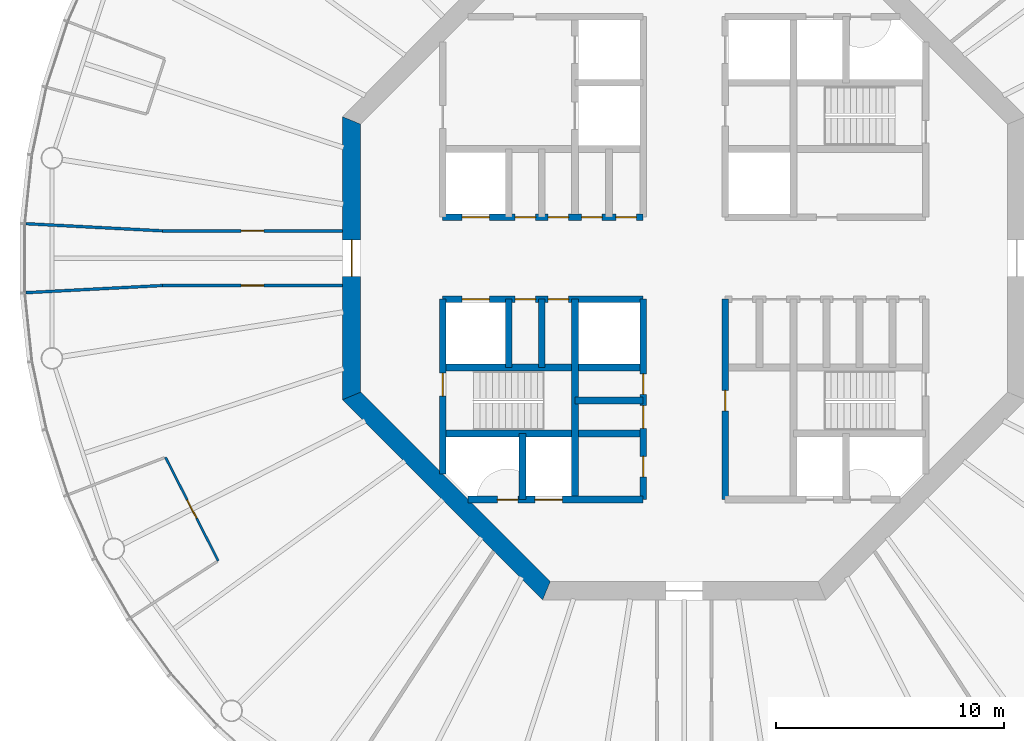
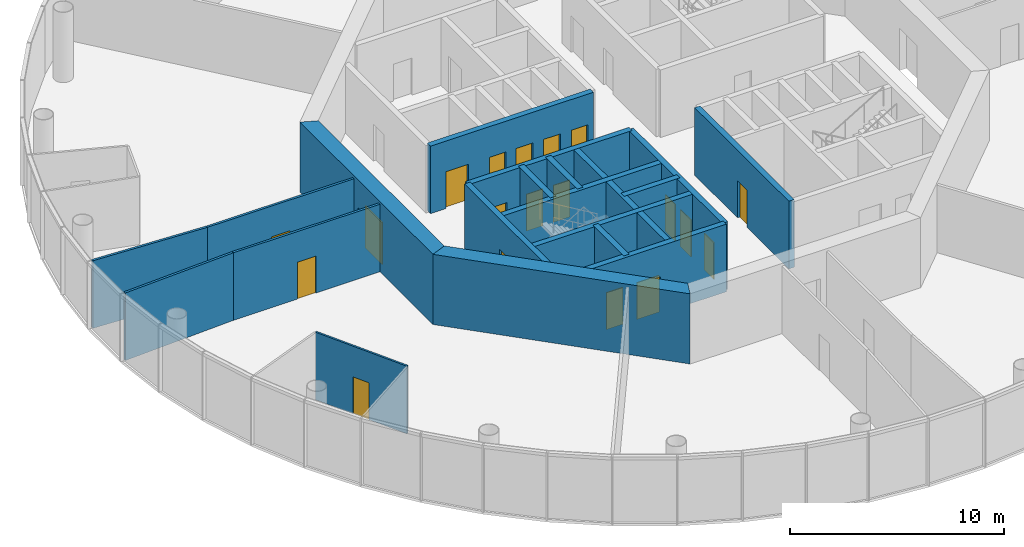
# One storey, part 3 of 13: 20 walls, 19 doors, 19 openings.
"""IFC4 building model written with IfcOpenShell, lengths in metres."""

from ifc_helpers import new_model, si_unit, direction, frame, frame_2d, origin, place, context, subcontext, project, spatial, polyline, rectangle, outline, extrude, material, layer, layer_set, type_object, element, fill, save


model = new_model("IFC4")

# Units and contexts
model_context = context("Model", 3, precision=1e-05, world=origin(), true_north=direction((0.0, 1.0)))
body_context = subcontext(model_context, "Body", "Model", "MODEL_VIEW")
ifc_project = project(units=[si_unit("LENGTHUNIT", "METRE"), si_unit("AREAUNIT", "SQUARE_METRE"), si_unit("VOLUMEUNIT", "CUBIC_METRE"), si_unit("PLANEANGLEUNIT", "RADIAN"), si_unit("MASSUNIT", "GRAM", prefix="KILO")], contexts=[model_context])

# Site, building, storey
site_placement = place(None, origin())
site = spatial("IfcSite", under=ifc_project, at=site_placement, CompositionType="ELEMENT")
building_placement = place(site_placement, origin())
building = spatial("IfcBuilding", under=site, at=building_placement, Name="Entoto Ring Tower", CompositionType="ELEMENT")
storey_placement = place(building_placement, frame((0.0, 0.0, 314.0)))
storey = spatial("IfcBuildingStorey", under=building, at=storey_placement, Name="L72", CompositionType="ELEMENT", Elevation=314.0)

# Wall, opening, door
ifc_material_1 = material(Name="Concrete C40/50", Category="concrete")
ifc_layer_1 = layer(ifc_material_1, 0.300048828125)
ifc_layer_set_1 = layer_set([ifc_layer_1], Name="Concrete C40/50")
wall_type_1 = type_object("IfcWallType", Name="Core enclosure wall 300 mm reinforced concrete", PredefinedType="SOLIDWALL", material=ifc_layer_set_1)
wall_1_placement = place(storey_placement, frame((91.800048828125, 69.39990234375, 0.0), z_axis=(0.0, 0.0, 1.0), x_axis=(0.0, 1.0, 0.0)))
wall_1 = element("IfcWall", 1, at=wall_1_placement, inside=storey, type_object=wall_type_1, Name="wall-L72-011", PredefinedType="SOLIDWALL", context=body_context, shape_type="SweptSolid", body=[
    extrude(rectangle(XDim=8.800048828125, YDim=0.300048828125, at=frame_2d((4.39990234375, 0.0))), origin(), (0.0, 0.0, 1.0), 3.85009765625),
])
opening_1_placement = place(wall_1_placement, frame((3.89990234375, 0.0, 0.0)))
opening_1 = element("IfcOpeningElement", 2, at=opening_1_placement, cuts=wall_1, Name="Opening K-21", PredefinedType="OPENING", context=body_context, shape_type="SweptSolid", body=[
    extrude(rectangle(XDim=0.89990234375, YDim=2.10009765625, at=frame_2d((0.449951171875, 1.050048828125))), frame((0.0, 0.16015625, 0.0), z_axis=(0.0, -1.0, 0.0), x_axis=(1.0, 0.0, 0.0)), (0.0, 0.0, 1.0), 0.320068359375),
])
ifc_material_2 = material(Name="Steel door leaf, fire rated", Category="steel")
ifc_layer_2 = layer(ifc_material_2, 0.050048828125)
ifc_layer_set_2 = layer_set([ifc_layer_2], Name="Steel door leaf, fire rated")
door_type_1 = type_object("IfcDoorType", Name="Core door 900 x 2100 single leaf", OperationType="NOTDEFINED", PredefinedType="DOOR", material=ifc_layer_set_2)
door_1_placement = place(opening_1_placement, frame((0.89990234375, 0.0, 0.0), z_axis=(0.0, 0.0, 1.0), x_axis=(-1.0, 0.0, 0.0)))
door_1 = element("IfcDoor", 3, at=door_1_placement, inside=storey, type_object=door_type_1, Name="Door K-21", OperationType="SINGLE_SWING_LEFT", OverallHeight=2.10009765625, OverallWidth=0.89990234375, PredefinedType="DOOR", context=body_context, shape_type="SweptSolid", body=[
    extrude(rectangle(XDim=0.89990234375, YDim=2.10009765625, at=frame_2d((0.449951171875, 1.050048828125))), frame((0.0, 0.02490234375, 0.0), z_axis=(0.0, -1.0, 0.0), x_axis=(1.0, 0.0, 0.0)), (0.0, 0.0, 1.0), 0.050048828125),
])
fill(opening_1, door_1)

# Wall, openings, doors
wall_2_placement = place(storey_placement, frame((88.199951171875, 69.39990234375, 0.0), z_axis=(0.0, 0.0, 1.0), x_axis=(0.0, 1.0, 0.0)))
wall_2 = element("IfcWall", 4, at=wall_2_placement, inside=storey, type_object=wall_type_1, Name="wall-L72-013", PredefinedType="SOLIDWALL", context=body_context, shape_type="SweptSolid", body=[
    extrude(rectangle(XDim=8.800048828125, YDim=0.300048828125, at=frame_2d((4.39990234375, 0.0))), origin(), (0.0, 0.0, 1.0), 3.85009765625),
])
opening_2_placement = place(wall_2_placement, frame((3.125, 0.0, 0.0)))
opening_2 = element("IfcOpeningElement", 5, at=opening_2_placement, cuts=wall_2, Name="Opening K-70", PredefinedType="OPENING", context=body_context, shape_type="SweptSolid", body=[
    extrude(rectangle(XDim=1.0, YDim=2.10009765625, at=frame_2d((0.5, 1.050048828125))), frame((0.0, 0.16015625, 0.0), z_axis=(0.0, -1.0, 0.0), x_axis=(1.0, 0.0, 0.0)), (0.0, 0.0, 1.0), 0.320068359375),
])
opening_3_placement = place(wall_2_placement, frame((4.625, 0.0, 0.0)))
opening_3 = element("IfcOpeningElement", 6, at=opening_3_placement, cuts=wall_2, Name="Opening K-71", PredefinedType="OPENING", context=body_context, shape_type="SweptSolid", body=[
    extrude(rectangle(XDim=0.89990234375, YDim=2.10009765625, at=frame_2d((0.449951171875, 1.050048828125))), frame((0.0, 0.16015625, 0.0), z_axis=(0.0, -1.0, 0.0), x_axis=(1.0, 0.0, 0.0)), (0.0, 0.0, 1.0), 0.320068359375),
])
opening_4_placement = place(wall_2_placement, frame((1.0, 0.0, 0.0)))
opening_4 = element("IfcOpeningElement", 7, at=opening_4_placement, cuts=wall_2, Name="Opening K-24", PredefinedType="OPENING", context=body_context, shape_type="SweptSolid", body=[
    extrude(rectangle(XDim=0.89990234375, YDim=2.10009765625, at=frame_2d((0.449951171875, 1.050048828125))), frame((0.0, 0.16015625, 0.0), z_axis=(0.0, -1.0, 0.0), x_axis=(1.0, 0.0, 0.0)), (0.0, 0.0, 1.0), 0.320068359375),
])
ifc_material_3 = material(Name="Steel door leaf, fire rated", Category="steel")
ifc_layer_3 = layer(ifc_material_3, 0.050048828125)
ifc_layer_set_3 = layer_set([ifc_layer_3], Name="Steel door leaf, fire rated")
door_type_2 = type_object("IfcDoorType", Name="Accessible door 1000 x 2100 single leaf", OperationType="NOTDEFINED", PredefinedType="DOOR", material=ifc_layer_set_3)
door_2_placement = place(opening_2_placement, origin())
door_2 = element("IfcDoor", 8, at=door_2_placement, inside=storey, type_object=door_type_2, Name="Door K-70", OperationType="SINGLE_SWING_RIGHT", OverallHeight=2.10009765625, OverallWidth=1.0, PredefinedType="DOOR", context=body_context, shape_type="SweptSolid", body=[
    extrude(rectangle(XDim=1.0, YDim=2.10009765625, at=frame_2d((0.5, 1.050048828125))), frame((0.0, 0.02490234375, 0.0), z_axis=(0.0, -1.0, 0.0), x_axis=(1.0, 0.0, 0.0)), (0.0, 0.0, 1.0), 0.050048828125),
])
fill(opening_2, door_2)
door_3_placement = place(opening_3_placement, origin())
door_3 = element("IfcDoor", 9, at=door_3_placement, inside=storey, type_object=door_type_1, Name="Door K-71", OperationType="SINGLE_SWING_RIGHT", OverallHeight=2.10009765625, OverallWidth=0.89990234375, PredefinedType="DOOR", context=body_context, shape_type="SweptSolid", body=[
    extrude(rectangle(XDim=0.89990234375, YDim=2.10009765625, at=frame_2d((0.449951171875, 1.050048828125))), frame((0.0, 0.02490234375, 0.0), z_axis=(0.0, -1.0, 0.0), x_axis=(1.0, 0.0, 0.0)), (0.0, 0.0, 1.0), 0.050048828125),
])
fill(opening_3, door_3)
door_4_placement = place(opening_4_placement, origin())
door_4 = element("IfcDoor", 10, at=door_4_placement, inside=storey, type_object=door_type_1, Name="Door K-24", OperationType="SINGLE_SWING_RIGHT", OverallHeight=2.10009765625, OverallWidth=0.89990234375, PredefinedType="DOOR", context=body_context, shape_type="SweptSolid", body=[
    extrude(rectangle(XDim=0.89990234375, YDim=2.10009765625, at=frame_2d((0.449951171875, 1.050048828125))), frame((0.0, 0.02490234375, 0.0), z_axis=(0.0, -1.0, 0.0), x_axis=(1.0, 0.0, 0.0)), (0.0, 0.0, 1.0), 0.050048828125),
])
fill(opening_4, door_4)

# Walls
wall_3_placement = place(storey_placement, frame((85.199951171875, 69.39990234375, 0.0), z_axis=(0.0, 0.0, 1.0), x_axis=(0.0, 1.0, 0.0)))
element("IfcWall", 11, at=wall_3_placement, inside=storey, type_object=wall_type_1, Name="wall-L72-016", PredefinedType="SOLIDWALL", context=body_context, shape_type="SweptSolid", body=[
    extrude(rectangle(XDim=8.800048828125, YDim=0.300048828125, at=frame_2d((4.39990234375, 0.0))), origin(), (0.0, 0.0, 1.0), 3.85009765625),
])
wall_4_placement = place(storey_placement, frame((83.75, 75.199951171875, 0.0), z_axis=(0.0, 0.0, 1.0), x_axis=(0.0, 1.0, 0.0)))
element("IfcWall", 12, at=wall_4_placement, inside=storey, type_object=wall_type_1, Name="wall-L72-018", PredefinedType="SOLIDWALL", context=body_context, shape_type="SweptSolid", body=[
    extrude(rectangle(XDim=3.0, YDim=0.300048828125, at=frame_2d((1.5, 0.0))), origin(), (0.0, 0.0, 1.0), 3.85009765625),
])
wall_5_placement = place(storey_placement, frame((82.89990234375, 69.39990234375, 0.0), z_axis=(0.0, 0.0, 1.0), x_axis=(0.0, 1.0, 0.0)))
element("IfcWall", 13, at=wall_5_placement, inside=storey, type_object=wall_type_1, Name="wall-L72-020", PredefinedType="SOLIDWALL", context=body_context, shape_type="SweptSolid", body=[
    extrude(rectangle(XDim=2.900146484375, YDim=0.300048828125, at=frame_2d((1.4501953125, 0.0))), origin(), (0.0, 0.0, 1.0), 3.85009765625),
])
wall_6_placement = place(storey_placement, frame((82.300048828125, 75.199951171875, 0.0), z_axis=(0.0, 0.0, 1.0), x_axis=(0.0, 1.0, 0.0)))
element("IfcWall", 14, at=wall_6_placement, inside=storey, type_object=wall_type_1, Name="wall-L72-021", PredefinedType="SOLIDWALL", context=body_context, shape_type="SweptSolid", body=[
    extrude(rectangle(XDim=3.0, YDim=0.300048828125, at=frame_2d((1.5, 0.0))), origin(), (0.0, 0.0, 1.0), 3.85009765625),
])

# Wall, opening, door
wall_7_placement = place(storey_placement, frame((79.39990234375, 70.518310546875, 0.0), z_axis=(0.0, 0.0, 1.0), x_axis=(0.0, 1.0, 0.0)))
wall_7 = element("IfcWall", 15, at=wall_7_placement, inside=storey, type_object=wall_type_1, Name="wall-L72-023", PredefinedType="SOLIDWALL", context=body_context, shape_type="SweptSolid", body=[
    extrude(rectangle(XDim=7.681640625, YDim=0.300048828125, at=frame_2d((3.8408203125, 0.0))), origin(), (0.0, 0.0, 1.0), 3.85009765625),
])
opening_5_placement = place(wall_7_placement, frame((3.431884765625, 0.0, 0.0)))
opening_5 = element("IfcOpeningElement", 16, at=opening_5_placement, cuts=wall_7, Name="Opening K-30", PredefinedType="OPENING", context=body_context, shape_type="SweptSolid", body=[
    extrude(rectangle(XDim=1.0, YDim=2.10009765625, at=frame_2d((0.5, 1.050048828125))), frame((0.0, 0.16015625, 0.0), z_axis=(0.0, -1.0, 0.0), x_axis=(1.0, 0.0, 0.0)), (0.0, 0.0, 1.0), 0.320068359375),
])
ifc_material_4 = material(Name="Steel door leaf, fire rated", Category="steel")
ifc_layer_4 = layer(ifc_material_4, 0.050048828125)
ifc_layer_set_4 = layer_set([ifc_layer_4], Name="Steel door leaf, fire rated")
door_type_3 = type_object("IfcDoorType", Name="Fire door FD60 1000 x 2100 single leaf", OperationType="NOTDEFINED", PredefinedType="DOOR", material=ifc_layer_set_4)
door_5_placement = place(opening_5_placement, frame((1.0, 0.0, 0.0), z_axis=(0.0, 0.0, 1.0), x_axis=(-1.0, 0.0, 0.0)))
door_5 = element("IfcDoor", 17, at=door_5_placement, inside=storey, type_object=door_type_3, Name="Door K-30", OperationType="SINGLE_SWING_LEFT", OverallHeight=2.10009765625, OverallWidth=1.0, PredefinedType="DOOR", context=body_context, shape_type="SweptSolid", body=[
    extrude(rectangle(XDim=1.0, YDim=2.10009765625, at=frame_2d((0.5, 1.050048828125))), frame((0.0, 0.02490234375, 0.0), z_axis=(0.0, -1.0, 0.0), x_axis=(1.0, 0.0, 0.0)), (0.0, 0.0, 1.0), 0.050048828125),
])
fill(opening_5, door_5)

# Wall, openings, doors
wall_8_placement = place(storey_placement, frame((80.518310546875, 69.39990234375, 0.0), z_axis=(0.0, 0.0, 1.0), x_axis=(1.0, 0.0, 0.0)))
wall_8 = element("IfcWall", 18, at=wall_8_placement, inside=storey, type_object=wall_type_1, Name="wall-L72-025", PredefinedType="SOLIDWALL", context=body_context, shape_type="SweptSolid", body=[
    extrude(rectangle(XDim=7.681640625, YDim=0.300048828125, at=frame_2d((3.8408203125, 0.0))), origin(), (0.0, 0.0, 1.0), 3.85009765625),
])
opening_6_placement = place(wall_8_placement, frame((2.931884765625, 0.0, 0.0)))
opening_6 = element("IfcOpeningElement", 19, at=opening_6_placement, cuts=wall_8, Name="Opening LD", PredefinedType="OPENING", context=body_context, shape_type="SweptSolid", body=[
    extrude(rectangle(XDim=1.199951171875, YDim=2.10009765625, at=frame_2d((0.60009765625, 1.050048828125))), frame((0.0, 0.16015625, 0.0), z_axis=(0.0, -1.0, 0.0), x_axis=(1.0, 0.0, 0.0)), (0.0, 0.0, 1.0), 0.320068359375),
])
opening_7_placement = place(wall_8_placement, frame((1.28173828125, 0.0, 0.0)))
opening_7 = element("IfcOpeningElement", 20, at=opening_7_placement, cuts=wall_8, Name="Opening K-33", PredefinedType="OPENING", context=body_context, shape_type="SweptSolid", body=[
    extrude(rectangle(XDim=0.89990234375, YDim=2.10009765625, at=frame_2d((0.449951171875, 1.050048828125))), frame((0.0, 0.16015625, 0.0), z_axis=(0.0, -1.0, 0.0), x_axis=(1.0, 0.0, 0.0)), (0.0, 0.0, 1.0), 0.320068359375),
])
ifc_material_5 = material(Name="Steel and glass door leaf", Category="steel")
ifc_layer_5 = layer(ifc_material_5, 0.050048828125)
ifc_layer_set_5 = layer_set([ifc_layer_5], Name="Steel and glass door leaf")
door_type_4 = type_object("IfcDoorType", Name="Landing door 1200 x 2100 sliding", OperationType="DOUBLE_DOOR_SLIDING", PredefinedType="DOOR", material=ifc_layer_set_5)
door_6_placement = place(opening_6_placement, origin())
door_6 = element("IfcDoor", 21, at=door_6_placement, inside=storey, type_object=door_type_4, Name="Landing door LB3-HR", OperationType="SLIDING_TO_RIGHT", OverallHeight=2.10009765625, OverallWidth=1.199951171875, PredefinedType="DOOR", context=body_context, shape_type="SweptSolid", body=[
    extrude(rectangle(XDim=1.199951171875, YDim=2.10009765625, at=frame_2d((0.60009765625, 1.050048828125))), frame((0.0, 0.02490234375, 0.0), z_axis=(0.0, -1.0, 0.0), x_axis=(1.0, 0.0, 0.0)), (0.0, 0.0, 1.0), 0.050048828125),
])
fill(opening_6, door_6)
ifc_material_6 = material(Name="Steel door leaf, fire rated", Category="steel")
ifc_layer_6 = layer(ifc_material_6, 0.050048828125)
ifc_layer_set_6 = layer_set([ifc_layer_6], Name="Steel door leaf, fire rated")
door_type_5 = type_object("IfcDoorType", Name="Riser door FD60 900 x 2100 single leaf", OperationType="NOTDEFINED", PredefinedType="DOOR", material=ifc_layer_set_6)
door_7_placement = place(opening_7_placement, origin())
door_7 = element("IfcDoor", 22, at=door_7_placement, inside=storey, type_object=door_type_5, Name="Door K-33", OperationType="SINGLE_SWING_RIGHT", OverallHeight=2.10009765625, OverallWidth=0.89990234375, PredefinedType="DOOR", context=body_context, shape_type="SweptSolid", body=[
    extrude(rectangle(XDim=0.89990234375, YDim=2.10009765625, at=frame_2d((0.449951171875, 1.050048828125))), frame((0.0, 0.02490234375, 0.0), z_axis=(0.0, -1.0, 0.0), x_axis=(1.0, 0.0, 0.0)), (0.0, 0.0, 1.0), 0.050048828125),
])
fill(opening_7, door_7)

# Walls
wall_9_placement = place(storey_placement, frame((79.39990234375, 72.300048828125, 0.0), z_axis=(0.0, 0.0, 1.0), x_axis=(1.0, 0.0, 0.0)))
element("IfcWall", 23, at=wall_9_placement, inside=storey, type_object=wall_type_1, Name="wall-L72-027", PredefinedType="SOLIDWALL", context=body_context, shape_type="SweptSolid", body=[
    extrude(rectangle(XDim=8.800048828125, YDim=0.300048828125, at=frame_2d((4.39990234375, 0.0))), origin(), (0.0, 0.0, 1.0), 3.85009765625),
])
wall_10_placement = place(storey_placement, frame((85.199951171875, 73.75, 0.0), z_axis=(0.0, 0.0, 1.0), x_axis=(1.0, 0.0, 0.0)))
element("IfcWall", 24, at=wall_10_placement, inside=storey, type_object=wall_type_1, Name="wall-L72-029", PredefinedType="SOLIDWALL", context=body_context, shape_type="SweptSolid", body=[
    extrude(rectangle(XDim=3.0, YDim=0.300048828125, at=frame_2d((1.5, 0.0))), origin(), (0.0, 0.0, 1.0), 3.85009765625),
])
wall_11_placement = place(storey_placement, frame((79.39990234375, 75.199951171875, 0.0), z_axis=(0.0, 0.0, 1.0), x_axis=(1.0, 0.0, 0.0)))
element("IfcWall", 25, at=wall_11_placement, inside=storey, type_object=wall_type_1, Name="wall-L72-030", PredefinedType="SOLIDWALL", context=body_context, shape_type="SweptSolid", body=[
    extrude(rectangle(XDim=8.800048828125, YDim=0.300048828125, at=frame_2d((4.39990234375, 0.0))), origin(), (0.0, 0.0, 1.0), 3.85009765625),
])

# Wall, openings, doors
wall_12_placement = place(storey_placement, frame((79.39990234375, 78.199951171875, 0.0), z_axis=(0.0, 0.0, 1.0), x_axis=(1.0, 0.0, 0.0)))
wall_12 = element("IfcWall", 26, at=wall_12_placement, inside=storey, type_object=wall_type_1, Name="wall-L72-032", PredefinedType="SOLIDWALL", context=body_context, shape_type="SweptSolid", body=[
    extrude(rectangle(XDim=8.800048828125, YDim=0.300048828125, at=frame_2d((4.39990234375, 0.0))), origin(), (0.0, 0.0, 1.0), 3.85009765625),
])
opening_8_placement = place(wall_12_placement, frame((0.85009765625, 0.0, 0.0)))
opening_8 = element("IfcOpeningElement", 27, at=opening_8_placement, cuts=wall_12, Name="Opening LD", PredefinedType="OPENING", context=body_context, shape_type="SweptSolid", body=[
    extrude(rectangle(XDim=1.199951171875, YDim=2.10009765625, at=frame_2d((0.60009765625, 1.050048828125))), frame((0.0, 0.16015625, 0.0), z_axis=(0.0, -1.0, 0.0), x_axis=(1.0, 0.0, 0.0)), (0.0, 0.0, 1.0), 0.320068359375),
])
opening_9_placement = place(wall_12_placement, frame((3.175048828125, 0.0, 0.0)))
opening_9 = element("IfcOpeningElement", 28, at=opening_9_placement, cuts=wall_12, Name="Opening K-18", PredefinedType="OPENING", context=body_context, shape_type="SweptSolid", body=[
    extrude(rectangle(XDim=0.89990234375, YDim=2.10009765625, at=frame_2d((0.449951171875, 1.050048828125))), frame((0.0, 0.16015625, 0.0), z_axis=(0.0, -1.0, 0.0), x_axis=(1.0, 0.0, 0.0)), (0.0, 0.0, 1.0), 0.320068359375),
])
opening_10_placement = place(wall_12_placement, frame((4.625, 0.0, 0.0)))
opening_10 = element("IfcOpeningElement", 29, at=opening_10_placement, cuts=wall_12, Name="Opening K-19", PredefinedType="OPENING", context=body_context, shape_type="SweptSolid", body=[
    extrude(rectangle(XDim=0.89990234375, YDim=2.10009765625, at=frame_2d((0.449951171875, 1.050048828125))), frame((0.0, 0.16015625, 0.0), z_axis=(0.0, -1.0, 0.0), x_axis=(1.0, 0.0, 0.0)), (0.0, 0.0, 1.0), 0.320068359375),
])
door_8_placement = place(opening_9_placement, frame((0.89990234375, 0.0, 0.0), z_axis=(0.0, 0.0, 1.0), x_axis=(-1.0, 0.0, 0.0)))
door_8 = element("IfcDoor", 30, at=door_8_placement, inside=storey, type_object=door_type_1, Name="Door K-18", OperationType="SINGLE_SWING_LEFT", OverallHeight=2.10009765625, OverallWidth=0.89990234375, PredefinedType="DOOR", context=body_context, shape_type="SweptSolid", body=[
    extrude(rectangle(XDim=0.89990234375, YDim=2.10009765625, at=frame_2d((0.449951171875, 1.050048828125))), frame((0.0, 0.02490234375, 0.0), z_axis=(0.0, -1.0, 0.0), x_axis=(1.0, 0.0, 0.0)), (0.0, 0.0, 1.0), 0.050048828125),
])
fill(opening_9, door_8)
door_9_placement = place(opening_10_placement, frame((0.89990234375, 0.0, 0.0), z_axis=(0.0, 0.0, 1.0), x_axis=(-1.0, 0.0, 0.0)))
door_9 = element("IfcDoor", 31, at=door_9_placement, inside=storey, type_object=door_type_1, Name="Door K-19", OperationType="SINGLE_SWING_LEFT", OverallHeight=2.10009765625, OverallWidth=0.89990234375, PredefinedType="DOOR", context=body_context, shape_type="SweptSolid", body=[
    extrude(rectangle(XDim=0.89990234375, YDim=2.10009765625, at=frame_2d((0.449951171875, 1.050048828125))), frame((0.0, 0.02490234375, 0.0), z_axis=(0.0, -1.0, 0.0), x_axis=(1.0, 0.0, 0.0)), (0.0, 0.0, 1.0), 0.050048828125),
])
fill(opening_10, door_9)
door_10_placement = place(opening_8_placement, origin())
door_10 = element("IfcDoor", 32, at=door_10_placement, inside=storey, type_object=door_type_4, Name="Landing door SH2", OperationType="SLIDING_TO_RIGHT", OverallHeight=2.10009765625, OverallWidth=1.199951171875, PredefinedType="DOOR", context=body_context, shape_type="SweptSolid", body=[
    extrude(rectangle(XDim=1.199951171875, YDim=2.10009765625, at=frame_2d((0.60009765625, 1.050048828125))), frame((0.0, 0.02490234375, 0.0), z_axis=(0.0, -1.0, 0.0), x_axis=(1.0, 0.0, 0.0)), (0.0, 0.0, 1.0), 0.050048828125),
])
fill(opening_8, door_10)

wall_13_placement = place(storey_placement, frame((79.39990234375, 81.800048828125, 0.0), z_axis=(0.0, 0.0, 1.0), x_axis=(1.0, 0.0, 0.0)))
wall_13 = element("IfcWall", 33, at=wall_13_placement, inside=storey, type_object=wall_type_1, Name="wall-L72-034", PredefinedType="SOLIDWALL", context=body_context, shape_type="SweptSolid", body=[
    extrude(rectangle(XDim=8.800048828125, YDim=0.300048828125, at=frame_2d((4.39990234375, 0.0))), origin(), (0.0, 0.0, 1.0), 3.85009765625),
])
opening_11_placement = place(wall_13_placement, frame((0.85009765625, 0.0, 0.0)))
opening_11 = element("IfcOpeningElement", 34, at=opening_11_placement, cuts=wall_13, Name="Opening LD", PredefinedType="OPENING", context=body_context, shape_type="SweptSolid", body=[
    extrude(rectangle(XDim=1.199951171875, YDim=2.10009765625, at=frame_2d((0.60009765625, 1.050048828125))), frame((0.0, 0.16015625, 0.0), z_axis=(0.0, -1.0, 0.0), x_axis=(1.0, 0.0, 0.0)), (0.0, 0.0, 1.0), 0.320068359375),
])
opening_12_placement = place(wall_13_placement, frame((3.175048828125, 0.0, 0.0)))
opening_12 = element("IfcOpeningElement", 35, at=opening_12_placement, cuts=wall_13, Name="Opening K-12", PredefinedType="OPENING", context=body_context, shape_type="SweptSolid", body=[
    extrude(rectangle(XDim=0.89990234375, YDim=2.10009765625, at=frame_2d((0.449951171875, 1.050048828125))), frame((0.0, 0.16015625, 0.0), z_axis=(0.0, -1.0, 0.0), x_axis=(1.0, 0.0, 0.0)), (0.0, 0.0, 1.0), 0.320068359375),
])
opening_13_placement = place(wall_13_placement, frame((4.625, 0.0, 0.0)))
opening_13 = element("IfcOpeningElement", 36, at=opening_13_placement, cuts=wall_13, Name="Opening K-46", PredefinedType="OPENING", context=body_context, shape_type="SweptSolid", body=[
    extrude(rectangle(XDim=0.89990234375, YDim=2.10009765625, at=frame_2d((0.449951171875, 1.050048828125))), frame((0.0, 0.16015625, 0.0), z_axis=(0.0, -1.0, 0.0), x_axis=(1.0, 0.0, 0.0)), (0.0, 0.0, 1.0), 0.320068359375),
])
opening_14_placement = place(wall_13_placement, frame((6.10009765625, 0.0, 0.0)))
opening_14 = element("IfcOpeningElement", 37, at=opening_14_placement, cuts=wall_13, Name="Opening K-25", PredefinedType="OPENING", context=body_context, shape_type="SweptSolid", body=[
    extrude(rectangle(XDim=0.89990234375, YDim=2.10009765625, at=frame_2d((0.449951171875, 1.050048828125))), frame((0.0, 0.16015625, 0.0), z_axis=(0.0, -1.0, 0.0), x_axis=(1.0, 0.0, 0.0)), (0.0, 0.0, 1.0), 0.320068359375),
])
opening_15_placement = place(wall_13_placement, frame((7.60009765625, 0.0, 0.0)))
opening_15 = element("IfcOpeningElement", 38, at=opening_15_placement, cuts=wall_13, Name="Opening K-77", PredefinedType="OPENING", context=body_context, shape_type="SweptSolid", body=[
    extrude(rectangle(XDim=0.89990234375, YDim=2.10009765625, at=frame_2d((0.449951171875, 1.050048828125))), frame((0.0, 0.16015625, 0.0), z_axis=(0.0, -1.0, 0.0), x_axis=(1.0, 0.0, 0.0)), (0.0, 0.0, 1.0), 0.320068359375),
])
door_11_placement = place(opening_12_placement, origin())
door_11 = element("IfcDoor", 39, at=door_11_placement, inside=storey, type_object=door_type_1, Name="Door K-12", OperationType="SINGLE_SWING_RIGHT", OverallHeight=2.10009765625, OverallWidth=0.89990234375, PredefinedType="DOOR", context=body_context, shape_type="SweptSolid", body=[
    extrude(rectangle(XDim=0.89990234375, YDim=2.10009765625, at=frame_2d((0.449951171875, 1.050048828125))), frame((0.0, 0.02490234375, 0.0), z_axis=(0.0, -1.0, 0.0), x_axis=(1.0, 0.0, 0.0)), (0.0, 0.0, 1.0), 0.050048828125),
])
fill(opening_12, door_11)
door_12_placement = place(opening_13_placement, origin())
door_12 = element("IfcDoor", 40, at=door_12_placement, inside=storey, type_object=door_type_1, Name="Door K-46", OperationType="SINGLE_SWING_RIGHT", OverallHeight=2.10009765625, OverallWidth=0.89990234375, PredefinedType="DOOR", context=body_context, shape_type="SweptSolid", body=[
    extrude(rectangle(XDim=0.89990234375, YDim=2.10009765625, at=frame_2d((0.449951171875, 1.050048828125))), frame((0.0, 0.02490234375, 0.0), z_axis=(0.0, -1.0, 0.0), x_axis=(1.0, 0.0, 0.0)), (0.0, 0.0, 1.0), 0.050048828125),
])
fill(opening_13, door_12)
door_13_placement = place(opening_14_placement, origin())
door_13 = element("IfcDoor", 41, at=door_13_placement, inside=storey, type_object=door_type_1, Name="Door K-25", OperationType="SINGLE_SWING_LEFT", OverallHeight=2.10009765625, OverallWidth=0.89990234375, PredefinedType="DOOR", context=body_context, shape_type="SweptSolid", body=[
    extrude(rectangle(XDim=0.89990234375, YDim=2.10009765625, at=frame_2d((0.449951171875, 1.050048828125))), frame((0.0, 0.02490234375, 0.0), z_axis=(0.0, -1.0, 0.0), x_axis=(1.0, 0.0, 0.0)), (0.0, 0.0, 1.0), 0.050048828125),
])
fill(opening_14, door_13)
door_14_placement = place(opening_15_placement, origin())
door_14 = element("IfcDoor", 42, at=door_14_placement, inside=storey, type_object=door_type_1, Name="Door K-77", OperationType="SINGLE_SWING_LEFT", OverallHeight=2.10009765625, OverallWidth=0.89990234375, PredefinedType="DOOR", context=body_context, shape_type="SweptSolid", body=[
    extrude(rectangle(XDim=0.89990234375, YDim=2.10009765625, at=frame_2d((0.449951171875, 1.050048828125))), frame((0.0, 0.02490234375, 0.0), z_axis=(0.0, -1.0, 0.0), x_axis=(1.0, 0.0, 0.0)), (0.0, 0.0, 1.0), 0.050048828125),
])
fill(opening_15, door_14)
door_15_placement = place(opening_11_placement, origin())
door_15 = element("IfcDoor", 43, at=door_15_placement, inside=storey, type_object=door_type_4, Name="Landing door SH1", OperationType="SLIDING_TO_RIGHT", OverallHeight=2.10009765625, OverallWidth=1.199951171875, PredefinedType="DOOR", context=body_context, shape_type="SweptSolid", body=[
    extrude(rectangle(XDim=1.199951171875, YDim=2.10009765625, at=frame_2d((0.60009765625, 1.050048828125))), frame((0.0, 0.02490234375, 0.0), z_axis=(0.0, -1.0, 0.0), x_axis=(1.0, 0.0, 0.0)), (0.0, 0.0, 1.0), 0.050048828125),
])
fill(opening_11, door_15)

# Wall, opening, door
ifc_material_7 = material(Name="Concrete C40/50", Category="concrete")
ifc_layer_7 = layer(ifc_material_7, 0.800048828125)
ifc_layer_set_7 = layer_set([ifc_layer_7], Name="Concrete C40/50")
wall_type_2 = type_object("IfcWallType", Name="Core shear wall 800 mm reinforced concrete C40/50", PredefinedType="SHEAR", material=ifc_layer_set_7)
wall_14_placement = place(storey_placement, frame((75.39990234375, 86.047607421875, 0.0), z_axis=(0.0, 0.0, 1.0), x_axis=(0.0, -1.0, 0.0)))
wall_14 = element("IfcWall", 44, at=wall_14_placement, inside=storey, type_object=wall_type_2, Name="wall-L72-core-4", PredefinedType="SHEAR", context=body_context, shape_type="SweptSolid", body=[
    extrude(outline(polyline([(-0.165771484375, -0.39990234375), (12.260986328125, -0.39990234375), (11.929443359375, 0.39990234375), (0.165771484375, 0.39990234375), (-0.165771484375, -0.39990234375)])), origin(), (0.0, 0.0, 1.0), 4.0),
])
opening_16_placement = place(wall_14_placement, frame((5.24755859375, 0.0, 0.0)))
opening_16 = element("IfcOpeningElement", 45, at=opening_16_placement, cuts=wall_14, Name="Opening K-03", PredefinedType="OPENING", context=body_context, shape_type="SweptSolid", body=[
    extrude(rectangle(XDim=1.60009765625, YDim=2.39990234375, at=frame_2d((0.800048828125, 1.199951171875))), frame((0.0, 0.41015625, 0.0), z_axis=(0.0, -1.0, 0.0), x_axis=(1.0, 0.0, 0.0)), (0.0, 0.0, 1.0), 0.820068359375),
])
ifc_material_8 = material(Name="Steel door leaf, fire rated", Category="steel")
ifc_layer_8 = layer(ifc_material_8, 0.050048828125)
ifc_layer_set_8 = layer_set([ifc_layer_8], Name="Steel door leaf, fire rated")
door_type_6 = type_object("IfcDoorType", Name="Entrance door FD60 1600 x 2400 double leaf", OperationType="DOUBLE_DOOR_SINGLE_SWING", PredefinedType="DOOR", material=ifc_layer_set_8)
door_16_placement = place(opening_16_placement, origin())
door_16 = element("IfcDoor", 46, at=door_16_placement, inside=storey, type_object=door_type_6, Name="Entrance door K-03", OperationType="DOUBLE_DOOR_SINGLE_SWING", OverallHeight=2.39990234375, OverallWidth=1.60009765625, PredefinedType="DOOR", context=body_context, shape_type="SweptSolid", body=[
    extrude(rectangle(XDim=1.60009765625, YDim=2.39990234375, at=frame_2d((0.800048828125, 1.199951171875))), frame((0.0, 0.02490234375, 0.0), z_axis=(0.0, -1.0, 0.0), x_axis=(1.0, 0.0, 0.0)), (0.0, 0.0, 1.0), 0.050048828125),
])
fill(opening_16, door_16)

# Wall
wall_15_placement = place(storey_placement, frame((75.39990234375, 73.952392578125, 0.0), z_axis=(0.0, 0.0, 1.0), x_axis=(0.707106781187, -0.707106781187, 0.0)))
element("IfcWall", 47, at=wall_15_placement, inside=storey, type_object=wall_type_2, Name="wall-L72-core-5", PredefinedType="SHEAR", context=body_context, shape_type="SweptSolid", body=[
    extrude(outline(polyline([(-0.165771484375, -0.39990234375), (12.2607421875, -0.39990234375), (11.92919921875, 0.39990234375), (0.165771484375, 0.39990234375), (-0.165771484375, -0.39990234375)])), origin(), (0.0, 0.0, 1.0), 4.0),
])

# Wall, opening, door
ifc_material_9 = material(Name="Fire-resisting plasterboard on steel studs", Category="steel")
ifc_layer_9 = layer(ifc_material_9, 0.125)
ifc_layer_set_9 = layer_set([ifc_layer_9], Name="Fire-resisting plasterboard on steel studs")
wall_type_3 = type_object("IfcWallType", Name="Corridor wall 125 mm one-hour plasterboard on steel studs", PredefinedType="PARTITIONING", material=ifc_layer_set_9)
wall_16_placement = place(storey_placement, frame((67.1025390625, 78.800048828125, 0.0), z_axis=(0.0, 0.0, 1.0), x_axis=(1.0, 0.0, 0.0)))
wall_16 = element("IfcWall", 48, at=wall_16_placement, inside=storey, type_object=wall_type_3, Name="partition-L72-001", PredefinedType="PARTITIONING", context=body_context, shape_type="SweptSolid", body=[
    extrude(rectangle(XDim=7.8974609375, YDim=0.125, at=frame_2d((3.94873046875, 0.0))), origin(), (0.0, 0.0, 1.0), 3.85009765625),
])
opening_17_placement = place(wall_16_placement, frame((3.44873046875, 0.0, 0.0)))
opening_17 = element("IfcOpeningElement", 49, at=opening_17_placement, cuts=wall_16, Name="Opening A31-D09", PredefinedType="OPENING", context=body_context, shape_type="SweptSolid", body=[
    extrude(rectangle(XDim=1.0, YDim=2.10009765625, at=frame_2d((0.5, 1.050048828125))), frame((0.0, 0.072509765625, 0.0), z_axis=(0.0, -1.0, 0.0), x_axis=(1.0, 0.0, 0.0)), (0.0, 0.0, 1.0), 0.14501953125),
])
ifc_material_10 = material(Name="Fire-resisting timber door set", Category="wood")
door_type_7 = type_object("IfcDoorType", Name="Door 1000 x 2100 single leaf FD30S fire door", OperationType="NOTDEFINED", PredefinedType="DOOR", material=ifc_material_10)
door_17_placement = place(opening_17_placement, frame((1.0, 0.0, 0.0), z_axis=(0.0, 0.0, 1.0), x_axis=(-1.0, 0.0, 0.0)))
door_17 = element("IfcDoor", 50, at=door_17_placement, inside=storey, type_object=door_type_7, Name="Door A31-D09", OperationType="SINGLE_SWING_LEFT", OverallHeight=2.10009765625, OverallWidth=1.0, PredefinedType="DOOR", context=body_context, shape_type="SweptSolid", body=[
    extrude(rectangle(XDim=1.0, YDim=2.10009765625, at=frame_2d((0.5, 1.050048828125))), frame((0.0, 0.02490234375, 0.0), z_axis=(0.0, -1.0, 0.0), x_axis=(1.0, 0.0, 0.0)), (0.0, 0.0, 1.0), 0.050048828125),
])
fill(opening_17, door_17)

wall_17_placement = place(storey_placement, frame((67.1025390625, 81.199951171875, 0.0), z_axis=(0.0, 0.0, 1.0), x_axis=(1.0, 0.0, 0.0)))
wall_17 = element("IfcWall", 51, at=wall_17_placement, inside=storey, type_object=wall_type_3, Name="partition-L72-002", PredefinedType="PARTITIONING", context=body_context, shape_type="SweptSolid", body=[
    extrude(rectangle(XDim=7.8974609375, YDim=0.125, at=frame_2d((3.94873046875, 0.0))), origin(), (0.0, 0.0, 1.0), 3.85009765625),
])
opening_18_placement = place(wall_17_placement, frame((3.44873046875, 0.0, 0.0)))
opening_18 = element("IfcOpeningElement", 52, at=opening_18_placement, cuts=wall_17, Name="Opening A31-D07", PredefinedType="OPENING", context=body_context, shape_type="SweptSolid", body=[
    extrude(rectangle(XDim=1.0, YDim=2.10009765625, at=frame_2d((0.5, 1.050048828125))), frame((0.0, 0.072509765625, 0.0), z_axis=(0.0, -1.0, 0.0), x_axis=(1.0, 0.0, 0.0)), (0.0, 0.0, 1.0), 0.14501953125),
])
door_18_placement = place(opening_18_placement, origin())
door_18 = element("IfcDoor", 53, at=door_18_placement, inside=storey, type_object=door_type_7, Name="Door A31-D07", OperationType="SINGLE_SWING_RIGHT", OverallHeight=2.10009765625, OverallWidth=1.0, PredefinedType="DOOR", context=body_context, shape_type="SweptSolid", body=[
    extrude(rectangle(XDim=1.0, YDim=2.10009765625, at=frame_2d((0.5, 1.050048828125))), frame((0.0, 0.02490234375, 0.0), z_axis=(0.0, -1.0, 0.0), x_axis=(1.0, 0.0, 0.0)), (0.0, 0.0, 1.0), 0.050048828125),
])
fill(opening_18, door_18)

# Walls
for number, where, z_axis, x_axis, name in (
    (54, (61.099609375, 78.4853515625, 0.0), (0.0, 0.0, 1.0), (0.998629367342, 0.052339150565, 0.0), "partition-L72-009"),
    (55, (67.099365234375, 81.2001953125, 0.0), (0.0, 0.0, 1.0), (-0.998629367342, 0.052339150565, 0.0), "partition-L72-010"),
):
    element("IfcWall", number, at=place(storey_placement, frame(where, z_axis=z_axis, x_axis=x_axis)), inside=storey, type_object=wall_type_3, Name=name, PredefinedType="PARTITIONING", context=body_context, shape_type="SweptSolid", body=[
        extrude(rectangle(XDim=6.008056640625, YDim=0.125, at=frame_2d((3.00390625, 0.0))), origin(), (0.0, 0.0, 1.0), 3.85009765625),
    ])

# Wall, opening, door
ifc_material_11 = material(Name="Plasterboard on steel studs", Category="steel")
ifc_layer_10 = layer(ifc_material_11, 0.10009765625)
ifc_layer_set_10 = layer_set([ifc_layer_10], Name="Plasterboard on steel studs")
wall_type_4 = type_object("IfcWallType", Name="Partition 100 mm plasterboard on steel studs", PredefinedType="PARTITIONING", material=ifc_layer_set_10)
wall_18_placement = place(storey_placement, frame((69.544921875, 66.71630859375, 0.0), z_axis=(0.0, 0.0, 1.0), x_axis=(-0.453999657129, 0.891001858206, 0.0)))
wall_18 = element("IfcWall", 56, at=wall_18_placement, inside=storey, type_object=wall_type_4, Name="partition-L72-024", PredefinedType="PARTITIONING", context=body_context, shape_type="SweptSolid", body=[
    extrude(rectangle(XDim=5.098876953125, YDim=0.10009765625, at=frame_2d((2.54931640625, 0.0))), origin(), (0.0, 0.0, 1.0), 3.85009765625),
])
opening_19_placement = place(wall_18_placement, frame((2.099365234375, 0.0, 0.0)))
opening_19 = element("IfcOpeningElement", 57, at=opening_19_placement, cuts=wall_18, Name="Opening A31-D10", PredefinedType="OPENING", context=body_context, shape_type="SweptSolid", body=[
    extrude(rectangle(XDim=0.89990234375, YDim=2.10009765625, at=frame_2d((0.449951171875, 1.050048828125))), frame((0.0, 0.06005859375, 0.0), z_axis=(0.0, -1.0, 0.0), x_axis=(1.0, 0.0, 0.0)), (0.0, 0.0, 1.0), 0.1201171875),
])
ifc_material_12 = material(Name="Veneered timber door leaf in timber frame", Category="wood")
door_type_8 = type_object("IfcDoorType", Name="Door 900 x 2100 single leaf timber veneer", OperationType="NOTDEFINED", PredefinedType="DOOR", material=ifc_material_12)
door_19_placement = place(opening_19_placement, origin())
door_19 = element("IfcDoor", 58, at=door_19_placement, inside=storey, type_object=door_type_8, Name="Door A31-D10", OperationType="SINGLE_SWING_LEFT", OverallHeight=2.10009765625, OverallWidth=0.89990234375, PredefinedType="DOOR", context=body_context, shape_type="SweptSolid", body=[
    extrude(rectangle(XDim=0.89990234375, YDim=2.10009765625, at=frame_2d((0.449951171875, 1.050048828125))), frame((0.0, 0.02490234375, 0.0), z_axis=(0.0, -1.0, 0.0), x_axis=(1.0, 0.0, 0.0)), (0.0, 0.0, 1.0), 0.050048828125),
])
fill(opening_19, door_19)

save(model, "model.ifc")
